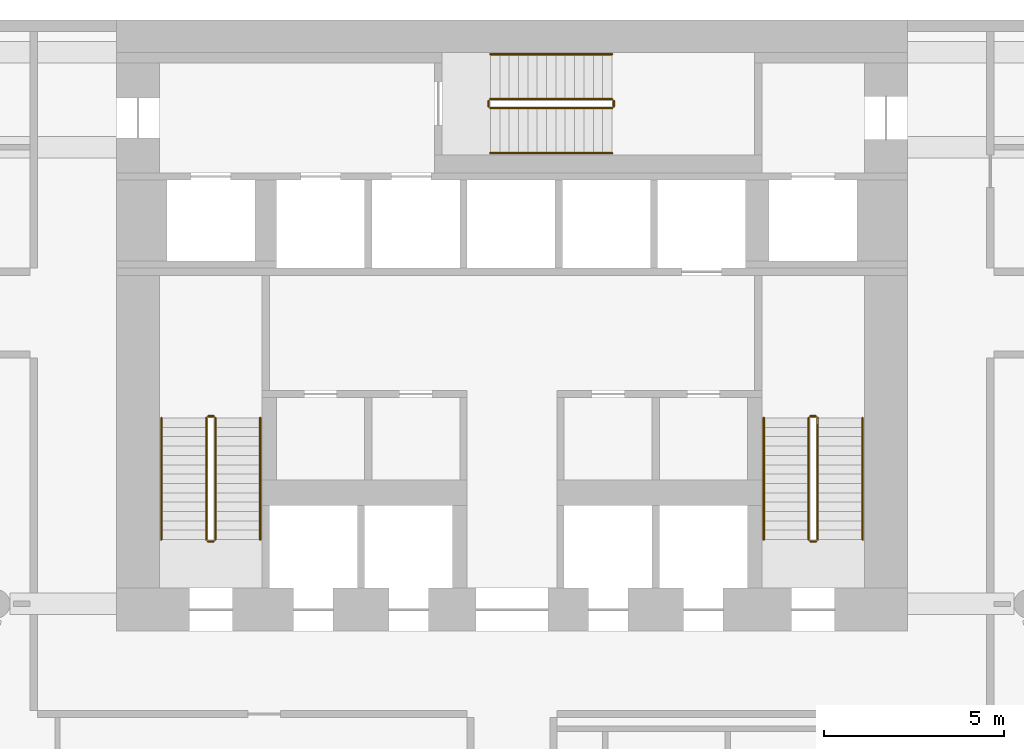
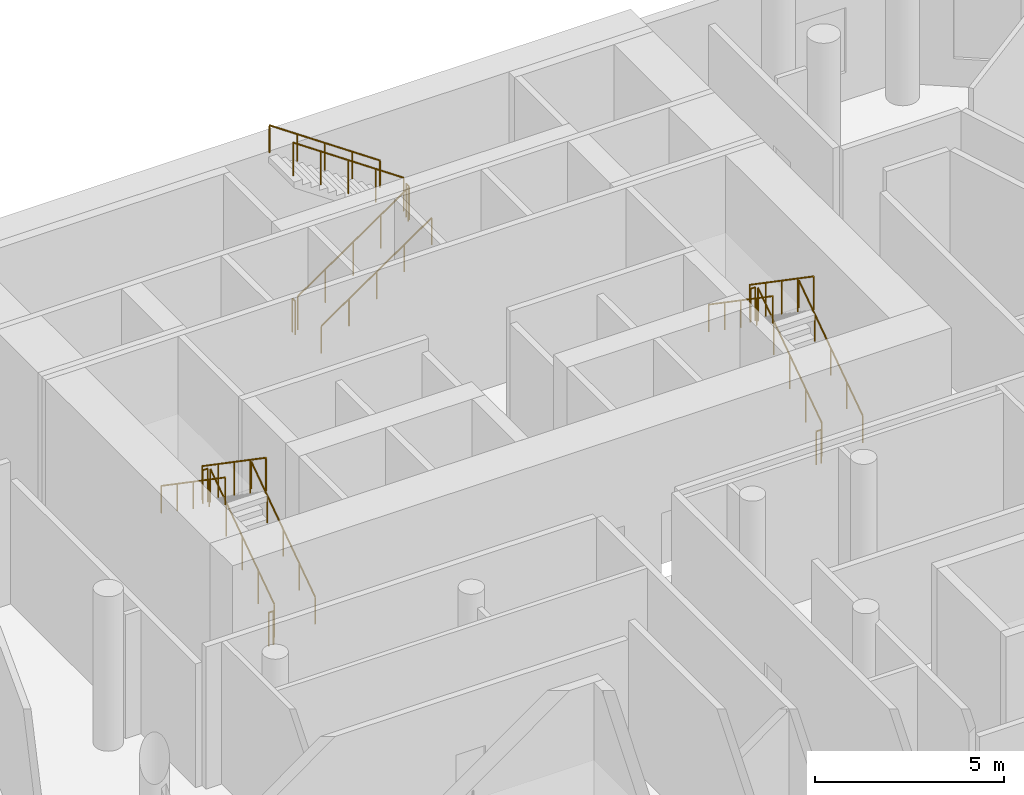
# One storey, part 15 of 15: 18 railings.
"""IFC4 building model written with IfcOpenShell, lengths in metres."""

from ifc_helpers import new_model, si_unit, direction, frame, origin, origin_2d, place, context, subcontext, project, spatial, circle, extrude, material, type_object, element, save


model = new_model("IFC4")

# Units and contexts
model_context = context("Model", 3, precision=1e-05, world=origin(), true_north=direction((0.0, 1.0)))
body_context = subcontext(model_context, "Body", "Model", "MODEL_VIEW")
ifc_project = project(units=[si_unit("LENGTHUNIT", "METRE"), si_unit("AREAUNIT", "SQUARE_METRE"), si_unit("VOLUMEUNIT", "CUBIC_METRE"), si_unit("PLANEANGLEUNIT", "RADIAN"), si_unit("MASSUNIT", "GRAM", prefix="KILO")], contexts=[model_context])

# Site, building, storey
site_placement = place(None, origin())
site = spatial("IfcSite", under=ifc_project, at=site_placement, CompositionType="ELEMENT")
building_placement = place(site_placement, origin())
building = spatial("IfcBuilding", under=site, at=building_placement, Name="White Candle Pilgrim Tower", CompositionType="ELEMENT")
storey_placement = place(building_placement, frame((0.0, 0.0, 34.0)))
storey = spatial("IfcBuildingStorey", under=building, at=storey_placement, Name="L05", CompositionType="ELEMENT", Elevation=34.0)

# Railings
ifc_material = material(Name="Stainless steel", Category="steel")
railing_type_1 = type_object("IfcRailingType", Name="Stair guard stainless steel 1100 mm", PredefinedType="GUARDRAIL", material=ifc_material)
railing_1_placement = place(storey_placement, frame((61.75, 73.550048828125, 0.178466796875)))
element("IfcRailing", 1, at=railing_1_placement, inside=storey, type_object=railing_type_1, Name="L05 ST1 stair guard 1", PredefinedType="GUARDRAIL", context=body_context, shape_type="SweptSolid", body=[
    extrude(circle(Radius=0.02392578125, at=origin_2d()), frame((0.0, 0.0, 1.076171875), z_axis=(0.0, 0.824285065979, 0.566174999451), x_axis=(-1.0, 0.0, 0.0)), (0.0, 0.0, 1.0), 4.100341796875),
    extrude(circle(Radius=0.02099609375, at=origin_2d()), origin(), (0.0, 0.0, 1.0), 1.052001953125),
    extrude(circle(Radius=0.02099609375, at=origin_2d()), frame((0.0, 0.844970703125, 0.580322265625)), (0.0, 0.0, 1.0), 1.052001953125),
    extrude(circle(Radius=0.02099609375, at=origin_2d()), frame((0.0, 1.68994140625, 1.16064453125)), (0.0, 0.0, 1.0), 1.052001953125),
    extrude(circle(Radius=0.02099609375, at=origin_2d()), frame((0.0, 2.534912109375, 1.7412109375)), (0.0, 0.0, 1.0), 1.052001953125),
    extrude(circle(Radius=0.02099609375, at=origin_2d()), frame((0.0, 3.3798828125, 2.321533203125)), (0.0, 0.0, 1.0), 1.052001953125),
])
railing_2_placement = place(storey_placement, frame((61.699951171875, 76.97998046875, 2.5)))
element("IfcRailing", 2, at=railing_2_placement, inside=storey, type_object=railing_type_1, Name="L05 ST1 stair guard 2", PredefinedType="GUARDRAIL", context=body_context, shape_type="SweptSolid", body=[
    extrude(circle(Radius=0.02392578125, at=origin_2d()), frame((0.0, 0.0, 1.076171875), z_axis=(-1.0, 0.0, 0.0), x_axis=(0.0, -1.0, 0.0)), (0.0, 0.0, 1.0), 0.14990234375),
    extrude(circle(Radius=0.02099609375, at=origin_2d()), origin(), (0.0, 0.0, 1.0), 1.052001953125),
    extrude(circle(Radius=0.02099609375, at=origin_2d()), frame((-0.14990234375, 0.0, 0.0)), (0.0, 0.0, 1.0), 1.052001953125),
])
railing_3_placement = place(storey_placement, frame((61.5, 76.929931640625, 2.678466796875)))
element("IfcRailing", 3, at=railing_3_placement, inside=storey, type_object=railing_type_1, Name="L05 ST1 stair guard 3", PredefinedType="GUARDRAIL", context=body_context, shape_type="SweptSolid", body=[
    extrude(circle(Radius=0.02392578125, at=origin_2d()), frame((0.0, 0.0, 1.076171875), z_axis=(0.0, -0.824285065979, 0.566174999451), x_axis=(1.0, 0.0, 0.0)), (0.0, 0.0, 1.0), 4.100341796875),
    extrude(circle(Radius=0.02099609375, at=origin_2d()), origin(), (0.0, 0.0, 1.0), 1.052001953125),
    extrude(circle(Radius=0.02099609375, at=origin_2d()), frame((0.0, -0.844970703125, 0.580322265625)), (0.0, 0.0, 1.0), 1.052001953125),
    extrude(circle(Radius=0.02099609375, at=origin_2d()), frame((0.0, -1.68994140625, 1.16064453125)), (0.0, 0.0, 1.0), 1.052001953125),
    extrude(circle(Radius=0.02099609375, at=origin_2d()), frame((0.0, -2.534912109375, 1.7412109375)), (0.0, 0.0, 1.0), 1.052001953125),
    extrude(circle(Radius=0.02099609375, at=origin_2d()), frame((0.0, -3.3798828125, 2.321533203125)), (0.0, 0.0, 1.0), 1.052001953125),
])
railing_4_placement = place(storey_placement, frame((61.699951171875, 73.5, 0.0)))
element("IfcRailing", 4, at=railing_4_placement, inside=storey, type_object=railing_type_1, Name="L05 ST1 stair guard 4", PredefinedType="GUARDRAIL", context=body_context, shape_type="SweptSolid", body=[
    extrude(circle(Radius=0.02392578125, at=origin_2d()), frame((0.0, 0.0, 1.076171875), z_axis=(-1.0, 0.0, 0.0), x_axis=(0.0, -1.0, 0.0)), (0.0, 0.0, 1.0), 0.14990234375),
    extrude(circle(Radius=0.02099609375, at=origin_2d()), origin(), (0.0, 0.0, 1.0), 1.052001953125),
    extrude(circle(Radius=0.02099609375, at=origin_2d()), frame((-0.14990234375, 0.0, 0.0)), (0.0, 0.0, 1.0), 1.052001953125),
])
railing_5_placement = place(storey_placement, frame((78.5, 73.550048828125, 0.178466796875)))
element("IfcRailing", 5, at=railing_5_placement, inside=storey, type_object=railing_type_1, Name="L05 ST2 stair guard 1", PredefinedType="GUARDRAIL", context=body_context, shape_type="SweptSolid", body=[
    extrude(circle(Radius=0.02392578125, at=origin_2d()), frame((0.0, 0.0, 1.076171875), z_axis=(0.0, 0.824285065979, 0.566174999451), x_axis=(-1.0, 0.0, 0.0)), (0.0, 0.0, 1.0), 4.100341796875),
    extrude(circle(Radius=0.02099609375, at=origin_2d()), origin(), (0.0, 0.0, 1.0), 1.052001953125),
    extrude(circle(Radius=0.02099609375, at=origin_2d()), frame((0.0, 0.844970703125, 0.580322265625)), (0.0, 0.0, 1.0), 1.052001953125),
    extrude(circle(Radius=0.02099609375, at=origin_2d()), frame((0.0, 1.68994140625, 1.16064453125)), (0.0, 0.0, 1.0), 1.052001953125),
    extrude(circle(Radius=0.02099609375, at=origin_2d()), frame((0.0, 2.534912109375, 1.7412109375)), (0.0, 0.0, 1.0), 1.052001953125),
    extrude(circle(Radius=0.02099609375, at=origin_2d()), frame((0.0, 3.3798828125, 2.321533203125)), (0.0, 0.0, 1.0), 1.052001953125),
])
railing_6_placement = place(storey_placement, frame((78.449951171875, 76.97998046875, 2.5)))
element("IfcRailing", 6, at=railing_6_placement, inside=storey, type_object=railing_type_1, Name="L05 ST2 stair guard 2", PredefinedType="GUARDRAIL", context=body_context, shape_type="SweptSolid", body=[
    extrude(circle(Radius=0.02392578125, at=origin_2d()), frame((0.0, 0.0, 1.076171875), z_axis=(-1.0, 0.0, 0.0), x_axis=(0.0, -1.0, 0.0)), (0.0, 0.0, 1.0), 0.14990234375),
    extrude(circle(Radius=0.02099609375, at=origin_2d()), origin(), (0.0, 0.0, 1.0), 1.052001953125),
    extrude(circle(Radius=0.02099609375, at=origin_2d()), frame((-0.14990234375, 0.0, 0.0)), (0.0, 0.0, 1.0), 1.052001953125),
])
railing_7_placement = place(storey_placement, frame((78.25, 76.929931640625, 2.678466796875)))
element("IfcRailing", 7, at=railing_7_placement, inside=storey, type_object=railing_type_1, Name="L05 ST2 stair guard 3", PredefinedType="GUARDRAIL", context=body_context, shape_type="SweptSolid", body=[
    extrude(circle(Radius=0.02392578125, at=origin_2d()), frame((0.0, 0.0, 1.076171875), z_axis=(0.0, -0.824285065979, 0.566174999451), x_axis=(1.0, 0.0, 0.0)), (0.0, 0.0, 1.0), 4.100341796875),
    extrude(circle(Radius=0.02099609375, at=origin_2d()), origin(), (0.0, 0.0, 1.0), 1.052001953125),
    extrude(circle(Radius=0.02099609375, at=origin_2d()), frame((0.0, -0.844970703125, 0.580322265625)), (0.0, 0.0, 1.0), 1.052001953125),
    extrude(circle(Radius=0.02099609375, at=origin_2d()), frame((0.0, -1.68994140625, 1.16064453125)), (0.0, 0.0, 1.0), 1.052001953125),
    extrude(circle(Radius=0.02099609375, at=origin_2d()), frame((0.0, -2.534912109375, 1.7412109375)), (0.0, 0.0, 1.0), 1.052001953125),
    extrude(circle(Radius=0.02099609375, at=origin_2d()), frame((0.0, -3.3798828125, 2.321533203125)), (0.0, 0.0, 1.0), 1.052001953125),
])
railing_8_placement = place(storey_placement, frame((78.449951171875, 73.5, 0.0)))
element("IfcRailing", 8, at=railing_8_placement, inside=storey, type_object=railing_type_1, Name="L05 ST2 stair guard 4", PredefinedType="GUARDRAIL", context=body_context, shape_type="SweptSolid", body=[
    extrude(circle(Radius=0.02392578125, at=origin_2d()), frame((0.0, 0.0, 1.076171875), z_axis=(-1.0, 0.0, 0.0), x_axis=(0.0, -1.0, 0.0)), (0.0, 0.0, 1.0), 0.14990234375),
    extrude(circle(Radius=0.02099609375, at=origin_2d()), origin(), (0.0, 0.0, 1.0), 1.052001953125),
    extrude(circle(Radius=0.02099609375, at=origin_2d()), frame((-0.14990234375, 0.0, 0.0)), (0.0, 0.0, 1.0), 1.052001953125),
])
railing_9_placement = place(storey_placement, frame((69.39990234375, 85.550048828125, 0.178466796875)))
element("IfcRailing", 9, at=railing_9_placement, inside=storey, type_object=railing_type_1, Name="L05 ST3 stair guard 1", PredefinedType="GUARDRAIL", context=body_context, shape_type="SweptSolid", body=[
    extrude(circle(Radius=0.02392578125, at=origin_2d()), frame((0.0, 0.0, 1.076171875), z_axis=(0.824304150675, 0.0, 0.566147213346), x_axis=(0.0, 1.0, 0.0)), (0.0, 0.0, 1.0), 4.1005859375),
    extrude(circle(Radius=0.02099609375, at=origin_2d()), origin(), (0.0, 0.0, 1.0), 1.052001953125),
    extrude(circle(Radius=0.02099609375, at=origin_2d()), frame((0.844970703125, 0.0, 0.580322265625)), (0.0, 0.0, 1.0), 1.052001953125),
    extrude(circle(Radius=0.02099609375, at=origin_2d()), frame((1.68994140625, 0.0, 1.16064453125)), (0.0, 0.0, 1.0), 1.052001953125),
    extrude(circle(Radius=0.02099609375, at=origin_2d()), frame((2.53515625, 0.0, 1.7412109375)), (0.0, 0.0, 1.0), 1.052001953125),
    extrude(circle(Radius=0.02099609375, at=origin_2d()), frame((3.380126953125, 0.0, 2.321533203125)), (0.0, 0.0, 1.0), 1.052001953125),
])
railing_10_placement = place(storey_placement, frame((72.830078125, 85.60009765625, 2.5)))
element("IfcRailing", 10, at=railing_10_placement, inside=storey, type_object=railing_type_1, Name="L05 ST3 stair guard 2", PredefinedType="GUARDRAIL", context=body_context, shape_type="SweptSolid", body=[
    extrude(circle(Radius=0.02392578125, at=origin_2d()), frame((0.0, 0.0, 1.076171875), z_axis=(0.0, 1.0, 0.0), x_axis=(-1.0, 0.0, 0.0)), (0.0, 0.0, 1.0), 0.14990234375),
    extrude(circle(Radius=0.02099609375, at=origin_2d()), origin(), (0.0, 0.0, 1.0), 1.052001953125),
    extrude(circle(Radius=0.02099609375, at=origin_2d()), frame((0.0, 0.14990234375, 0.0)), (0.0, 0.0, 1.0), 1.052001953125),
])
railing_11_placement = place(storey_placement, frame((72.780029296875, 85.800048828125, 2.678466796875)))
element("IfcRailing", 11, at=railing_11_placement, inside=storey, type_object=railing_type_1, Name="L05 ST3 stair guard 3", PredefinedType="GUARDRAIL", context=body_context, shape_type="SweptSolid", body=[
    extrude(circle(Radius=0.02392578125, at=origin_2d()), frame((0.0, 0.0, 1.076171875), z_axis=(-0.824304150675, 0.0, 0.566147213346), x_axis=(0.0, -1.0, 0.0)), (0.0, 0.0, 1.0), 4.1005859375),
    extrude(circle(Radius=0.02099609375, at=origin_2d()), origin(), (0.0, 0.0, 1.0), 1.052001953125),
    extrude(circle(Radius=0.02099609375, at=origin_2d()), frame((-0.844970703125, 0.0, 0.580322265625)), (0.0, 0.0, 1.0), 1.052001953125),
    extrude(circle(Radius=0.02099609375, at=origin_2d()), frame((-1.68994140625, 0.0, 1.16064453125)), (0.0, 0.0, 1.0), 1.052001953125),
    extrude(circle(Radius=0.02099609375, at=origin_2d()), frame((-2.53515625, 0.0, 1.7412109375)), (0.0, 0.0, 1.0), 1.052001953125),
    extrude(circle(Radius=0.02099609375, at=origin_2d()), frame((-3.380126953125, 0.0, 2.321533203125)), (0.0, 0.0, 1.0), 1.052001953125),
])
railing_12_placement = place(storey_placement, frame((69.35009765625, 85.60009765625, 0.0)))
element("IfcRailing", 12, at=railing_12_placement, inside=storey, type_object=railing_type_1, Name="L05 ST3 stair guard 4", PredefinedType="GUARDRAIL", context=body_context, shape_type="SweptSolid", body=[
    extrude(circle(Radius=0.02392578125, at=origin_2d()), frame((0.0, 0.0, 1.076171875), z_axis=(0.0, 1.0, 0.0), x_axis=(-1.0, 0.0, 0.0)), (0.0, 0.0, 1.0), 0.14990234375),
    extrude(circle(Radius=0.02099609375, at=origin_2d()), origin(), (0.0, 0.0, 1.0), 1.052001953125),
    extrude(circle(Radius=0.02099609375, at=origin_2d()), frame((0.0, 0.14990234375, 0.0)), (0.0, 0.0, 1.0), 1.052001953125),
])
railing_type_2 = type_object("IfcRailingType", Name="Stair handrail stainless steel", PredefinedType="HANDRAIL", material=ifc_material)
railing_13_placement = place(storey_placement, frame((63.0, 73.550048828125, 0.178466796875)))
element("IfcRailing", 13, at=railing_13_placement, inside=storey, type_object=railing_type_2, Name="L05 ST1 stair handrail 1", PredefinedType="HANDRAIL", context=body_context, shape_type="SweptSolid", body=[
    extrude(circle(Radius=0.02392578125, at=origin_2d()), frame((0.0, 0.0, 0.8759765625), z_axis=(0.0, 0.824285065979, 0.566174999451), x_axis=(-1.0, 0.0, 0.0)), (0.0, 0.0, 1.0), 4.100341796875),
    extrude(circle(Radius=0.02099609375, at=origin_2d()), origin(), (0.0, 0.0, 1.0), 0.851806640625),
    extrude(circle(Radius=0.02099609375, at=origin_2d()), frame((0.0, 0.844970703125, 0.580322265625)), (0.0, 0.0, 1.0), 0.851806640625),
    extrude(circle(Radius=0.02099609375, at=origin_2d()), frame((0.0, 1.68994140625, 1.16064453125)), (0.0, 0.0, 1.0), 0.851806640625),
    extrude(circle(Radius=0.02099609375, at=origin_2d()), frame((0.0, 2.534912109375, 1.7412109375)), (0.0, 0.0, 1.0), 0.851806640625),
    extrude(circle(Radius=0.02099609375, at=origin_2d()), frame((0.0, 3.3798828125, 2.321533203125)), (0.0, 0.0, 1.0), 0.851806640625),
])
railing_14_placement = place(storey_placement, frame((60.25, 76.929931640625, 2.678466796875)))
element("IfcRailing", 14, at=railing_14_placement, inside=storey, type_object=railing_type_2, Name="L05 ST1 stair handrail 2", PredefinedType="HANDRAIL", context=body_context, shape_type="SweptSolid", body=[
    extrude(circle(Radius=0.02392578125, at=origin_2d()), frame((0.0, 0.0, 0.8759765625), z_axis=(0.0, -0.824285065979, 0.566174999451), x_axis=(1.0, 0.0, 0.0)), (0.0, 0.0, 1.0), 4.100341796875),
    extrude(circle(Radius=0.02099609375, at=origin_2d()), origin(), (0.0, 0.0, 1.0), 0.851806640625),
    extrude(circle(Radius=0.02099609375, at=origin_2d()), frame((0.0, -0.844970703125, 0.580322265625)), (0.0, 0.0, 1.0), 0.851806640625),
    extrude(circle(Radius=0.02099609375, at=origin_2d()), frame((0.0, -1.68994140625, 1.16064453125)), (0.0, 0.0, 1.0), 0.851806640625),
    extrude(circle(Radius=0.02099609375, at=origin_2d()), frame((0.0, -2.534912109375, 1.7412109375)), (0.0, 0.0, 1.0), 0.851806640625),
    extrude(circle(Radius=0.02099609375, at=origin_2d()), frame((0.0, -3.3798828125, 2.321533203125)), (0.0, 0.0, 1.0), 0.851806640625),
])
railing_15_placement = place(storey_placement, frame((79.75, 73.550048828125, 0.178466796875)))
element("IfcRailing", 15, at=railing_15_placement, inside=storey, type_object=railing_type_2, Name="L05 ST2 stair handrail 1", PredefinedType="HANDRAIL", context=body_context, shape_type="SweptSolid", body=[
    extrude(circle(Radius=0.02392578125, at=origin_2d()), frame((0.0, 0.0, 0.8759765625), z_axis=(0.0, 0.824285065979, 0.566174999451), x_axis=(-1.0, 0.0, 0.0)), (0.0, 0.0, 1.0), 4.100341796875),
    extrude(circle(Radius=0.02099609375, at=origin_2d()), origin(), (0.0, 0.0, 1.0), 0.851806640625),
    extrude(circle(Radius=0.02099609375, at=origin_2d()), frame((0.0, 0.844970703125, 0.580322265625)), (0.0, 0.0, 1.0), 0.851806640625),
    extrude(circle(Radius=0.02099609375, at=origin_2d()), frame((0.0, 1.68994140625, 1.16064453125)), (0.0, 0.0, 1.0), 0.851806640625),
    extrude(circle(Radius=0.02099609375, at=origin_2d()), frame((0.0, 2.534912109375, 1.7412109375)), (0.0, 0.0, 1.0), 0.851806640625),
    extrude(circle(Radius=0.02099609375, at=origin_2d()), frame((0.0, 3.3798828125, 2.321533203125)), (0.0, 0.0, 1.0), 0.851806640625),
])
railing_16_placement = place(storey_placement, frame((77.0, 76.929931640625, 2.678466796875)))
element("IfcRailing", 16, at=railing_16_placement, inside=storey, type_object=railing_type_2, Name="L05 ST2 stair handrail 2", PredefinedType="HANDRAIL", context=body_context, shape_type="SweptSolid", body=[
    extrude(circle(Radius=0.02392578125, at=origin_2d()), frame((0.0, 0.0, 0.8759765625), z_axis=(0.0, -0.824285065979, 0.566174999451), x_axis=(1.0, 0.0, 0.0)), (0.0, 0.0, 1.0), 4.100341796875),
    extrude(circle(Radius=0.02099609375, at=origin_2d()), origin(), (0.0, 0.0, 1.0), 0.851806640625),
    extrude(circle(Radius=0.02099609375, at=origin_2d()), frame((0.0, -0.844970703125, 0.580322265625)), (0.0, 0.0, 1.0), 0.851806640625),
    extrude(circle(Radius=0.02099609375, at=origin_2d()), frame((0.0, -1.68994140625, 1.16064453125)), (0.0, 0.0, 1.0), 0.851806640625),
    extrude(circle(Radius=0.02099609375, at=origin_2d()), frame((0.0, -2.534912109375, 1.7412109375)), (0.0, 0.0, 1.0), 0.851806640625),
    extrude(circle(Radius=0.02099609375, at=origin_2d()), frame((0.0, -3.3798828125, 2.321533203125)), (0.0, 0.0, 1.0), 0.851806640625),
])
railing_17_placement = place(storey_placement, frame((69.39990234375, 84.300048828125, 0.178466796875)))
element("IfcRailing", 17, at=railing_17_placement, inside=storey, type_object=railing_type_2, Name="L05 ST3 stair handrail 1", PredefinedType="HANDRAIL", context=body_context, shape_type="SweptSolid", body=[
    extrude(circle(Radius=0.02392578125, at=origin_2d()), frame((0.0, 0.0, 0.8759765625), z_axis=(0.824304150675, 0.0, 0.566147213346), x_axis=(0.0, 1.0, 0.0)), (0.0, 0.0, 1.0), 4.1005859375),
    extrude(circle(Radius=0.02099609375, at=origin_2d()), origin(), (0.0, 0.0, 1.0), 0.851806640625),
    extrude(circle(Radius=0.02099609375, at=origin_2d()), frame((0.844970703125, 0.0, 0.580322265625)), (0.0, 0.0, 1.0), 0.851806640625),
    extrude(circle(Radius=0.02099609375, at=origin_2d()), frame((1.68994140625, 0.0, 1.16064453125)), (0.0, 0.0, 1.0), 0.851806640625),
    extrude(circle(Radius=0.02099609375, at=origin_2d()), frame((2.53515625, 0.0, 1.7412109375)), (0.0, 0.0, 1.0), 0.851806640625),
    extrude(circle(Radius=0.02099609375, at=origin_2d()), frame((3.380126953125, 0.0, 2.321533203125)), (0.0, 0.0, 1.0), 0.851806640625),
])
railing_18_placement = place(storey_placement, frame((72.780029296875, 87.050048828125, 2.678466796875)))
element("IfcRailing", 18, at=railing_18_placement, inside=storey, type_object=railing_type_2, Name="L05 ST3 stair handrail 2", PredefinedType="HANDRAIL", context=body_context, shape_type="SweptSolid", body=[
    extrude(circle(Radius=0.02392578125, at=origin_2d()), frame((0.0, 0.0, 0.8759765625), z_axis=(-0.824304150675, 0.0, 0.566147213346), x_axis=(0.0, -1.0, 0.0)), (0.0, 0.0, 1.0), 4.1005859375),
    extrude(circle(Radius=0.02099609375, at=origin_2d()), origin(), (0.0, 0.0, 1.0), 0.851806640625),
    extrude(circle(Radius=0.02099609375, at=origin_2d()), frame((-0.844970703125, 0.0, 0.580322265625)), (0.0, 0.0, 1.0), 0.851806640625),
    extrude(circle(Radius=0.02099609375, at=origin_2d()), frame((-1.68994140625, 0.0, 1.16064453125)), (0.0, 0.0, 1.0), 0.851806640625),
    extrude(circle(Radius=0.02099609375, at=origin_2d()), frame((-2.53515625, 0.0, 1.7412109375)), (0.0, 0.0, 1.0), 0.851806640625),
    extrude(circle(Radius=0.02099609375, at=origin_2d()), frame((-3.380126953125, 0.0, 2.321533203125)), (0.0, 0.0, 1.0), 0.851806640625),
])

save(model, "model.ifc")
